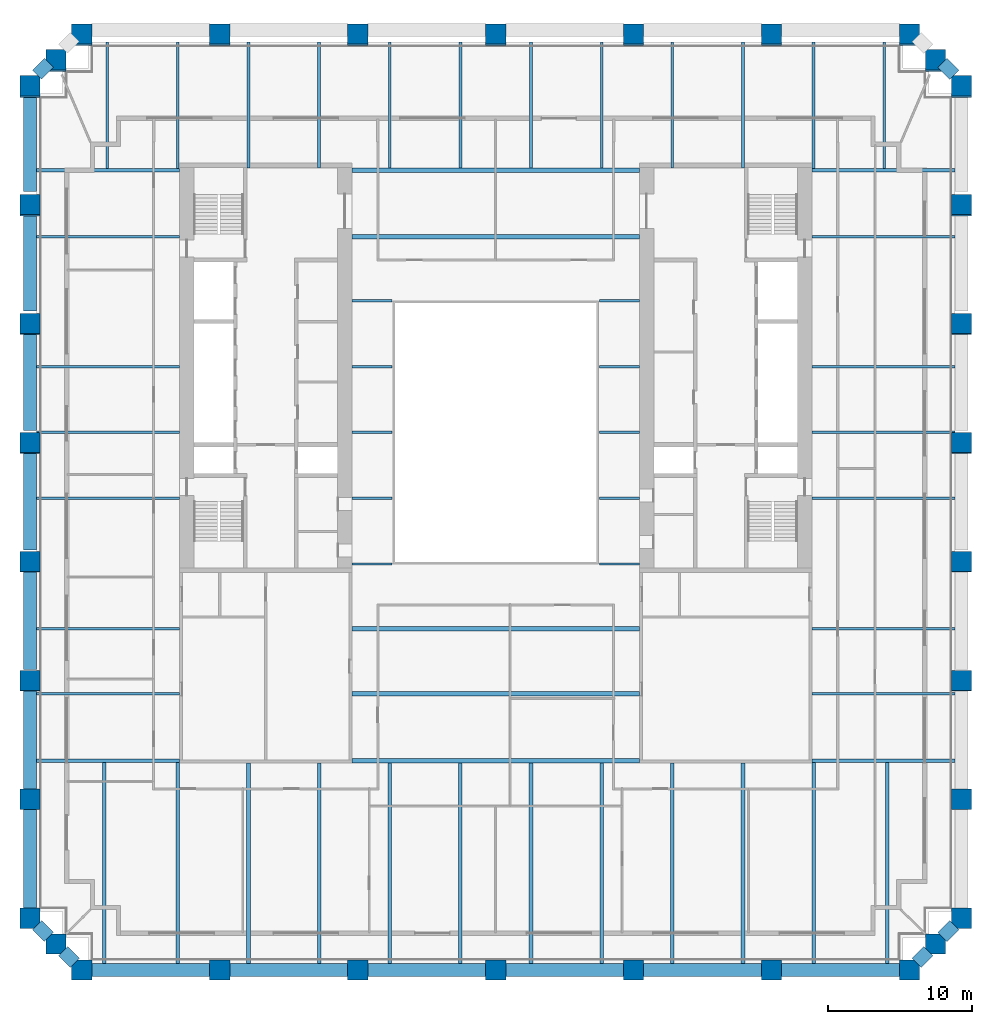
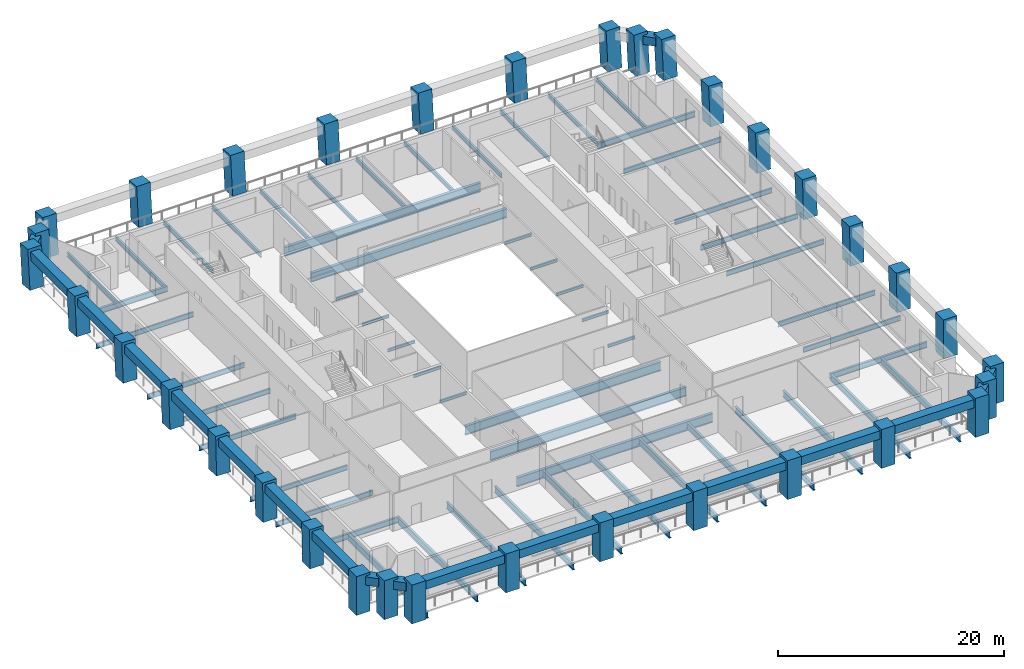
# One storey, part 1 of 9: 74 beams, 34 columns.
"""IFC4 building model written with IfcOpenShell, lengths in metres."""

from ifc_helpers import new_model, si_unit, direction, frame, origin, origin_2d, place, context, subcontext, project, spatial, rectangle, i_section, extrude, material, material_profile, profile_set, type_object, element, save


model = new_model("IFC4")

# Units and contexts
model_context = context("Model", 3, precision=1e-05, world=origin(), true_north=direction((0.0, 1.0)))
body_context = subcontext(model_context, "Body", "Model", "MODEL_VIEW")
ifc_project = project(units=[si_unit("LENGTHUNIT", "METRE"), si_unit("AREAUNIT", "SQUARE_METRE"), si_unit("VOLUMEUNIT", "CUBIC_METRE"), si_unit("PLANEANGLEUNIT", "RADIAN"), si_unit("MASSUNIT", "GRAM", prefix="KILO")], contexts=[model_context])

# Site, building, storey
site_placement = place(None, origin())
site = spatial("IfcSite", under=ifc_project, at=site_placement, CompositionType="ELEMENT")
building_placement = place(site_placement, origin())
building = spatial("IfcBuilding", under=site, at=building_placement, Name="Ogive Exchange Tower", CompositionType="ELEMENT")
storey_placement = place(building_placement, frame((0.0, 0.0, 69.0)))
storey = spatial("IfcBuildingStorey", under=building, at=storey_placement, Name="L14", CompositionType="ELEMENT", Elevation=69.0)

# Columns
ifc_material_1 = material(Name="Precast concrete C70/85 (limestone faced)", Category="masonry")
ifc_material_profile_1 = material_profile(ifc_material_1, rectangle(XDim=1.39990234375, YDim=1.39990234375, at=origin_2d()), Name="1400 x 1400")
ifc_profile_set_1 = profile_set([ifc_material_profile_1], Name="Precast concrete C70/85 (limestone faced)")
column_type = type_object("IfcColumnType", Name="Precast exoskeleton leg 1400 x 1400 C70/85", PredefinedType="COLUMN", material=ifc_profile_set_1)
for number, where, z_axis, x_axis, name in (
    (1, (-28.800048828125, -30.39990234375, 0.0), (0.0, 0.0, 1.0), (1.0, 0.0, 0.0), "Exoskeleton leg 1"),
    (2, (-19.199951171875, -30.39990234375, 0.0), (0.0, 0.0, 1.0), (1.0, 0.0, 0.0), "Exoskeleton leg 2"),
    (3, (-9.60009765625, -30.39990234375, 0.0), (0.0, 0.0, 1.0), (1.0, 0.0, 0.0), "Exoskeleton leg 3"),
    (4, (0.0, -30.39990234375, 0.0), (0.0, 0.0, 1.0), (1.0, 0.0, 0.0), "Exoskeleton leg 4"),
    (5, (9.60009765625, -30.39990234375, 0.0), (0.0, 0.0, 1.0), (1.0, 0.0, 0.0), "Exoskeleton leg 5"),
    (6, (19.199951171875, -30.39990234375, 0.0), (0.0, 0.0, 1.0), (1.0, 0.0, 0.0), "Exoskeleton leg 6"),
    (7, (28.800048828125, -30.39990234375, 0.0), (0.0, 0.0, 1.0), (1.0, 0.0, 0.0), "Exoskeleton leg 7"),
    (8, (32.39990234375, -26.800048828125, 0.0), (0.0, 0.0, 1.0), (1.0, 0.0, 0.0), "Exoskeleton leg 8"),
):
    element("IfcColumn", number, at=place(storey_placement, frame(where, z_axis=z_axis, x_axis=x_axis)), inside=storey, type_object=column_type, Name=name, PredefinedType="COLUMN", context=body_context, shape_type="SweptSolid", body=[
        extrude(rectangle(XDim=1.39990234375, YDim=1.39990234375, at=origin_2d()), origin(), (0.0, 0.0, 1.0), 4.199951171875),
    ])
column_1_placement = place(storey_placement, frame((32.39990234375, -18.540283203125, 0.0), z_axis=(0.0, 0.013019881024, 0.999915237757), x_axis=(-1.0, 0.0, 0.0)))
element("IfcColumn", 9, at=column_1_placement, inside=storey, type_object=column_type, Name="Exoskeleton leg 9", PredefinedType="COLUMN", context=body_context, shape_type="SweptSolid", body=[
    extrude(rectangle(XDim=1.39990234375, YDim=1.39990234375, at=origin_2d()), origin(), (0.0, 0.0, 1.0), 4.2001953125),
])
column_2_placement = place(storey_placement, frame((32.39990234375, -10.280517578125, 0.0), z_axis=(0.0, 0.025975072843, 0.999662590873), x_axis=(-1.0, 0.0, 0.0)))
element("IfcColumn", 10, at=column_2_placement, inside=storey, type_object=column_type, Name="Exoskeleton leg 10", PredefinedType="COLUMN", context=body_context, shape_type="SweptSolid", body=[
    extrude(rectangle(XDim=1.39990234375, YDim=1.39990234375, at=origin_2d()), origin(), (0.0, 0.0, 1.0), 4.201416015625),
])
column_3_placement = place(storey_placement, frame((32.39990234375, -2.020751953125, 0.0), z_axis=(0.0, 0.038917190853, 0.999242439179), x_axis=(-1.0, 0.0, 0.0)))
element("IfcColumn", 11, at=column_3_placement, inside=storey, type_object=column_type, Name="Exoskeleton leg 11", PredefinedType="COLUMN", context=body_context, shape_type="SweptSolid", body=[
    extrude(rectangle(XDim=1.39990234375, YDim=1.39990234375, at=origin_2d()), origin(), (0.0, 0.0, 1.0), 4.203125),
])
column_4_placement = place(storey_placement, frame((32.39990234375, 6.239013671875, 0.0), z_axis=(0.0, 0.051839753909, 0.998655416004), x_axis=(-1.0, 0.0, 0.0)))
element("IfcColumn", 12, at=column_4_placement, inside=storey, type_object=column_type, Name="Exoskeleton leg 12", PredefinedType="COLUMN", context=body_context, shape_type="SweptSolid", body=[
    extrude(rectangle(XDim=1.39990234375, YDim=1.39990234375, at=origin_2d()), origin(), (0.0, 0.0, 1.0), 4.20556640625),
])
column_5_placement = place(storey_placement, frame((32.39990234375, 14.498779296875, 0.0), z_axis=(0.0, 0.064794093908, 0.997898654872), x_axis=(-1.0, 0.0, 0.0)))
element("IfcColumn", 13, at=column_5_placement, inside=storey, type_object=column_type, Name="Exoskeleton leg 13", PredefinedType="COLUMN", context=body_context, shape_type="SweptSolid", body=[
    extrude(rectangle(XDim=1.39990234375, YDim=1.39990234375, at=origin_2d()), origin(), (0.0, 0.0, 1.0), 4.208740234375),
])
column_6_placement = place(storey_placement, frame((32.39990234375, 22.75830078125, 0.0), z_axis=(0.0, 0.07771576013, 0.996975556685), x_axis=(-1.0, 0.0, 0.0)))
element("IfcColumn", 14, at=column_6_placement, inside=storey, type_object=column_type, Name="Exoskeleton leg 14", PredefinedType="COLUMN", context=body_context, shape_type="SweptSolid", body=[
    extrude(rectangle(XDim=1.39990234375, YDim=1.39990234375, at=origin_2d()), origin(), (0.0, 0.0, 1.0), 4.212646484375),
])
for number, where, z_axis, x_axis, name in (
    (15, (32.39990234375, 31.018310546875, 0.0), (0.0, 0.090483549163, 0.995897950259), (-1.0, 0.0, 0.0), "Exoskeleton leg 15"),
    (16, (28.800048828125, 34.6181640625, 0.0), (0.0, 0.090540965689, 0.995892731941), (-1.0, 0.0, 0.0), "Exoskeleton leg 16"),
    (17, (19.199951171875, 34.6181640625, 0.0), (0.0, 0.090540965689, 0.995892731941), (-1.0, 0.0, 0.0), "Exoskeleton leg 17"),
    (18, (9.60009765625, 34.6181640625, 0.0), (0.0, 0.090540965689, 0.995892731941), (-1.0, 0.0, 0.0), "Exoskeleton leg 18"),
    (19, (0.0, 34.6181640625, 0.0), (0.0, 0.090540965689, 0.995892731941), (-1.0, 0.0, 0.0), "Exoskeleton leg 19"),
    (20, (-9.60009765625, 34.6181640625, 0.0), (0.0, 0.090540965689, 0.995892731941), (-1.0, 0.0, 0.0), "Exoskeleton leg 20"),
    (21, (-19.199951171875, 34.6181640625, 0.0), (0.0, 0.090540965689, 0.995892731941), (-1.0, 0.0, 0.0), "Exoskeleton leg 21"),
    (22, (-28.800048828125, 34.6181640625, 0.0), (0.0, 0.090540965689, 0.995892731941), (-1.0, 0.0, 0.0), "Exoskeleton leg 22"),
    (23, (-32.39990234375, 31.018310546875, 0.0), (0.0, 0.090483549163, 0.995897950259), (-1.0, 0.0, 0.0), "Exoskeleton leg 23"),
):
    element("IfcColumn", number, at=place(storey_placement, frame(where, z_axis=z_axis, x_axis=x_axis)), inside=storey, type_object=column_type, Name=name, PredefinedType="COLUMN", context=body_context, shape_type="SweptSolid", body=[
        extrude(rectangle(XDim=1.39990234375, YDim=1.39990234375, at=origin_2d()), origin(), (0.0, 0.0, 1.0), 4.21728515625),
    ])
column_7_placement = place(storey_placement, frame((-32.39990234375, 22.75830078125, 0.0), z_axis=(0.0, 0.07771576013, 0.996975556685), x_axis=(-1.0, 0.0, 0.0)))
element("IfcColumn", 24, at=column_7_placement, inside=storey, type_object=column_type, Name="Exoskeleton leg 24", PredefinedType="COLUMN", context=body_context, shape_type="SweptSolid", body=[
    extrude(rectangle(XDim=1.39990234375, YDim=1.39990234375, at=origin_2d()), origin(), (0.0, 0.0, 1.0), 4.212646484375),
])
column_8_placement = place(storey_placement, frame((-32.39990234375, 14.498779296875, 0.0), z_axis=(0.0, 0.064794093908, 0.997898654872), x_axis=(-1.0, 0.0, 0.0)))
element("IfcColumn", 25, at=column_8_placement, inside=storey, type_object=column_type, Name="Exoskeleton leg 25", PredefinedType="COLUMN", context=body_context, shape_type="SweptSolid", body=[
    extrude(rectangle(XDim=1.39990234375, YDim=1.39990234375, at=origin_2d()), origin(), (0.0, 0.0, 1.0), 4.208740234375),
])
column_9_placement = place(storey_placement, frame((-32.39990234375, 6.239013671875, 0.0), z_axis=(0.0, 0.051839753909, 0.998655416004), x_axis=(-1.0, 0.0, 0.0)))
element("IfcColumn", 26, at=column_9_placement, inside=storey, type_object=column_type, Name="Exoskeleton leg 26", PredefinedType="COLUMN", context=body_context, shape_type="SweptSolid", body=[
    extrude(rectangle(XDim=1.39990234375, YDim=1.39990234375, at=origin_2d()), origin(), (0.0, 0.0, 1.0), 4.20556640625),
])
column_10_placement = place(storey_placement, frame((-32.39990234375, -2.020751953125, 0.0), z_axis=(0.0, 0.038917190853, 0.999242439179), x_axis=(-1.0, 0.0, 0.0)))
element("IfcColumn", 27, at=column_10_placement, inside=storey, type_object=column_type, Name="Exoskeleton leg 27", PredefinedType="COLUMN", context=body_context, shape_type="SweptSolid", body=[
    extrude(rectangle(XDim=1.39990234375, YDim=1.39990234375, at=origin_2d()), origin(), (0.0, 0.0, 1.0), 4.203125),
])
column_11_placement = place(storey_placement, frame((-32.39990234375, -10.280517578125, 0.0), z_axis=(0.0, 0.025975072843, 0.999662590873), x_axis=(-1.0, 0.0, 0.0)))
element("IfcColumn", 28, at=column_11_placement, inside=storey, type_object=column_type, Name="Exoskeleton leg 28", PredefinedType="COLUMN", context=body_context, shape_type="SweptSolid", body=[
    extrude(rectangle(XDim=1.39990234375, YDim=1.39990234375, at=origin_2d()), origin(), (0.0, 0.0, 1.0), 4.201416015625),
])
column_12_placement = place(storey_placement, frame((-32.39990234375, -18.540283203125, 0.0), z_axis=(0.0, 0.013019881024, 0.999915237757), x_axis=(-1.0, 0.0, 0.0)))
element("IfcColumn", 29, at=column_12_placement, inside=storey, type_object=column_type, Name="Exoskeleton leg 29", PredefinedType="COLUMN", context=body_context, shape_type="SweptSolid", body=[
    extrude(rectangle(XDim=1.39990234375, YDim=1.39990234375, at=origin_2d()), origin(), (0.0, 0.0, 1.0), 4.2001953125),
])
for number, where, z_axis, x_axis, name in (
    (30, (-32.39990234375, -26.800048828125, 0.0), (0.0, 0.0, 1.0), (1.0, 0.0, 0.0), "Exoskeleton leg 30"),
    (31, (30.60009765625, -28.60009765625, 0.0), (0.0, 0.0, 1.0), (1.0, 0.0, 0.0), "Exoskeleton leg 31"),
):
    element("IfcColumn", number, at=place(storey_placement, frame(where, z_axis=z_axis, x_axis=x_axis)), inside=storey, type_object=column_type, Name=name, PredefinedType="COLUMN", context=body_context, shape_type="SweptSolid", body=[
        extrude(rectangle(XDim=1.39990234375, YDim=1.39990234375, at=origin_2d()), origin(), (0.0, 0.0, 1.0), 4.199951171875),
    ])
for number, where, z_axis, x_axis, name in (
    (32, (30.60009765625, 32.818115234375, 0.0), (0.0, 0.090540965689, 0.995892731941), (-1.0, 0.0, 0.0), "Exoskeleton leg 32"),
    (33, (-30.60009765625, 32.818115234375, 0.0), (0.0, 0.090540965689, 0.995892731941), (-1.0, 0.0, 0.0), "Exoskeleton leg 33"),
):
    element("IfcColumn", number, at=place(storey_placement, frame(where, z_axis=z_axis, x_axis=x_axis)), inside=storey, type_object=column_type, Name=name, PredefinedType="COLUMN", context=body_context, shape_type="SweptSolid", body=[
        extrude(rectangle(XDim=1.39990234375, YDim=1.39990234375, at=origin_2d()), origin(), (0.0, 0.0, 1.0), 4.21728515625),
    ])
column_13_placement = place(storey_placement, frame((-30.60009765625, -28.60009765625, 0.0), z_axis=(0.0, 0.0, 1.0), x_axis=(1.0, 0.0, 0.0)))
element("IfcColumn", 34, at=column_13_placement, inside=storey, type_object=column_type, Name="Exoskeleton leg 34", PredefinedType="COLUMN", context=body_context, shape_type="SweptSolid", body=[
    extrude(rectangle(XDim=1.39990234375, YDim=1.39990234375, at=origin_2d()), origin(), (0.0, 0.0, 1.0), 4.199951171875),
])

# Beams
ifc_material_2 = material(Name="Steel ASTM A992 Gr50", Category="steel")
ifc_material_profile_2 = material_profile(ifc_material_2, i_section(OverallWidth=0.300048828125, OverallDepth=0.969970703125, WebThickness=0.01611328125, FlangeThickness=0.02099609375, at=origin_2d()), Name="W1000x222")
ifc_profile_set_2 = profile_set([ifc_material_profile_2], Name="Steel ASTM A992 Gr50")
beam_type_1 = type_object("IfcBeamType", Name="Floor beam W1000x222", PredefinedType="JOIST", material=ifc_profile_set_2)
for number, where, z_axis, x_axis, name in (
    (35, (-10.0, -11.17822265625, -0.68505859375), (1.0, 0.0, 0.0), (0.0, 1.0, 0.0), "Floor beam"),
    (36, (-10.0, -6.666748046875, -0.68505859375), (1.0, 0.0, 0.0), (0.0, 1.0, 0.0), "Floor beam"),
    (37, (-10.0, 20.62255859375, -0.68505859375), (1.0, 0.0, 0.0), (0.0, 1.0, 0.0), "Floor beam"),
):
    element("IfcBeam", number, at=place(storey_placement, frame(where, z_axis=z_axis, x_axis=x_axis)), inside=storey, type_object=beam_type_1, Name=name, PredefinedType="JOIST", context=body_context, shape_type="SweptSolid", body=[
        extrude(i_section(OverallWidth=0.300048828125, OverallDepth=0.969970703125, WebThickness=0.01611328125, FlangeThickness=0.02099609375, at=origin_2d()), origin(), (0.0, 0.0, 1.0), 20.0),
    ])
ifc_material_profile_3 = material_profile(ifc_material_2, i_section(OverallWidth=0.1650390625, OverallDepth=0.31005859375, WebThickness=0.005859375, FlangeThickness=0.009765625, at=origin_2d()), Name="W310x38.7")
ifc_profile_set_3 = profile_set([ifc_material_profile_3], Name="Steel ASTM A992 Gr50")
beam_type_2 = type_object("IfcBeamType", Name="Floor beam W310x38.7", PredefinedType="JOIST", material=ifc_profile_set_3)
for number, where, z_axis, x_axis, name in (
    (38, (-10.0, 2.422607421875, -0.35498046875), (1.0, 0.0, 0.0), (0.0, 1.0, 0.0), "Floor beam"),
    (39, (7.219970703125, 2.422607421875, -0.35498046875), (1.0, 0.0, 0.0), (0.0, 1.0, 0.0), "Floor beam"),
    (40, (-10.0, 7.0, -0.35498046875), (1.0, 0.0, 0.0), (0.0, 1.0, 0.0), "Floor beam"),
    (41, (7.219970703125, 7.0, -0.35498046875), (1.0, 0.0, 0.0), (0.0, 1.0, 0.0), "Floor beam"),
    (42, (-10.0, 11.577392578125, -0.35498046875), (1.0, 0.0, 0.0), (0.0, 1.0, 0.0), "Floor beam"),
    (43, (7.219970703125, 11.577392578125, -0.35498046875), (1.0, 0.0, 0.0), (0.0, 1.0, 0.0), "Floor beam"),
):
    element("IfcBeam", number, at=place(storey_placement, frame(where, z_axis=z_axis, x_axis=x_axis)), inside=storey, type_object=beam_type_2, Name=name, PredefinedType="JOIST", context=body_context, shape_type="SweptSolid", body=[
        extrude(i_section(OverallWidth=0.1650390625, OverallDepth=0.31005859375, WebThickness=0.005859375, FlangeThickness=0.009765625, at=origin_2d()), origin(), (0.0, 0.0, 1.0), 2.780029296875),
    ])
ifc_material_profile_4 = material_profile(ifc_material_2, i_section(OverallWidth=0.19091796875, OverallDepth=0.45703125, WebThickness=0.009033203125, FlangeThickness=0.014404296875, at=origin_2d()), Name="W460x74")
ifc_profile_set_4 = profile_set([ifc_material_profile_4], Name="Steel ASTM A992 Gr50")
beam_type_3 = type_object("IfcBeamType", Name="Floor beam W460x74", PredefinedType="JOIST", material=ifc_profile_set_4)
for number, where, z_axis, x_axis, name in (
    (44, (-27.03466796875, 25.35888671875, -0.428466796875), (0.0, 1.0, 0.0), (-1.0, 0.0, 0.0), "Floor beam"),
    (45, (-22.119140625, 25.35888671875, -0.428466796875), (0.0, 1.0, 0.0), (-1.0, 0.0, 0.0), "Floor beam"),
):
    element("IfcBeam", number, at=place(storey_placement, frame(where, z_axis=z_axis, x_axis=x_axis)), inside=storey, type_object=beam_type_3, Name=name, PredefinedType="JOIST", context=body_context, shape_type="SweptSolid", body=[
        extrude(i_section(OverallWidth=0.19091796875, OverallDepth=0.45703125, WebThickness=0.009033203125, FlangeThickness=0.014404296875, at=origin_2d()), origin(), (0.0, 0.0, 1.0), 8.809326171875),
    ])
for number, where, z_axis, x_axis, name in (
    (46, (-17.203857421875, 25.39990234375, -0.428466796875), (0.0, 1.0, 0.0), (-1.0, 0.0, 0.0), "Floor beam"),
    (47, (-12.28857421875, 25.39990234375, -0.428466796875), (0.0, 1.0, 0.0), (-1.0, 0.0, 0.0), "Floor beam"),
):
    element("IfcBeam", number, at=place(storey_placement, frame(where, z_axis=z_axis, x_axis=x_axis)), inside=storey, type_object=beam_type_3, Name=name, PredefinedType="JOIST", context=body_context, shape_type="SweptSolid", body=[
        extrude(i_section(OverallWidth=0.19091796875, OverallDepth=0.45703125, WebThickness=0.009033203125, FlangeThickness=0.014404296875, at=origin_2d()), origin(), (0.0, 0.0, 1.0), 8.768310546875),
    ])
for number, where, z_axis, x_axis, name in (
    (48, (-7.373046875, 25.39501953125, -0.428466796875), (0.0, 1.0, 0.0), (-1.0, 0.0, 0.0), "Floor beam"),
    (49, (-2.457763671875, 25.39501953125, -0.428466796875), (0.0, 1.0, 0.0), (-1.0, 0.0, 0.0), "Floor beam"),
    (50, (2.457763671875, 25.39501953125, -0.428466796875), (0.0, 1.0, 0.0), (-1.0, 0.0, 0.0), "Floor beam"),
    (51, (7.373046875, 25.39501953125, -0.428466796875), (0.0, 1.0, 0.0), (-1.0, 0.0, 0.0), "Floor beam"),
):
    element("IfcBeam", number, at=place(storey_placement, frame(where, z_axis=z_axis, x_axis=x_axis)), inside=storey, type_object=beam_type_3, Name=name, PredefinedType="JOIST", context=body_context, shape_type="SweptSolid", body=[
        extrude(i_section(OverallWidth=0.19091796875, OverallDepth=0.45703125, WebThickness=0.009033203125, FlangeThickness=0.014404296875, at=origin_2d()), origin(), (0.0, 0.0, 1.0), 8.773193359375),
    ])
for number, where, z_axis, x_axis, name in (
    (52, (12.28857421875, 25.39990234375, -0.428466796875), (0.0, 1.0, 0.0), (-1.0, 0.0, 0.0), "Floor beam"),
    (53, (17.203857421875, 25.39990234375, -0.428466796875), (0.0, 1.0, 0.0), (-1.0, 0.0, 0.0), "Floor beam"),
):
    element("IfcBeam", number, at=place(storey_placement, frame(where, z_axis=z_axis, x_axis=x_axis)), inside=storey, type_object=beam_type_3, Name=name, PredefinedType="JOIST", context=body_context, shape_type="SweptSolid", body=[
        extrude(i_section(OverallWidth=0.19091796875, OverallDepth=0.45703125, WebThickness=0.009033203125, FlangeThickness=0.014404296875, at=origin_2d()), origin(), (0.0, 0.0, 1.0), 8.768310546875),
    ])
for number, where, z_axis, x_axis, name in (
    (54, (22.119140625, 25.35888671875, -0.428466796875), (0.0, 1.0, 0.0), (-1.0, 0.0, 0.0), "Floor beam"),
    (55, (27.03466796875, 25.35888671875, -0.428466796875), (0.0, 1.0, 0.0), (-1.0, 0.0, 0.0), "Floor beam"),
):
    element("IfcBeam", number, at=place(storey_placement, frame(where, z_axis=z_axis, x_axis=x_axis)), inside=storey, type_object=beam_type_3, Name=name, PredefinedType="JOIST", context=body_context, shape_type="SweptSolid", body=[
        extrude(i_section(OverallWidth=0.19091796875, OverallDepth=0.45703125, WebThickness=0.009033203125, FlangeThickness=0.014404296875, at=origin_2d()), origin(), (0.0, 0.0, 1.0), 8.809326171875),
    ])
ifc_material_profile_5 = material_profile(ifc_material_2, i_section(OverallWidth=0.1669921875, OverallDepth=0.535888671875, WebThickness=0.01025390625, FlangeThickness=0.0166015625, at=origin_2d()), Name="W530x85")
ifc_profile_set_5 = profile_set([ifc_material_profile_5], Name="Steel ASTM A992 Gr50")
beam_type_4 = type_object("IfcBeamType", Name="Floor beam W530x85", PredefinedType="JOIST", material=ifc_profile_set_5)
for number, where, z_axis, x_axis, name in (
    (56, (-31.949951171875, -11.17822265625, -0.468017578125), (1.0, 0.0, 0.0), (0.0, 1.0, 0.0), "Floor beam"),
    (57, (22.0, -11.17822265625, -0.468017578125), (1.0, 0.0, 0.0), (0.0, 1.0, 0.0), "Floor beam"),
    (58, (-31.949951171875, -6.666748046875, -0.468017578125), (1.0, 0.0, 0.0), (0.0, 1.0, 0.0), "Floor beam"),
    (59, (22.0, -6.666748046875, -0.468017578125), (1.0, 0.0, 0.0), (0.0, 1.0, 0.0), "Floor beam"),
    (60, (-31.949951171875, 2.422607421875, -0.468017578125), (1.0, 0.0, 0.0), (0.0, 1.0, 0.0), "Floor beam"),
    (61, (22.0, 2.422607421875, -0.468017578125), (1.0, 0.0, 0.0), (0.0, 1.0, 0.0), "Floor beam"),
    (62, (-31.949951171875, 7.0, -0.468017578125), (1.0, 0.0, 0.0), (0.0, 1.0, 0.0), "Floor beam"),
    (63, (22.0, 7.0, -0.468017578125), (1.0, 0.0, 0.0), (0.0, 1.0, 0.0), "Floor beam"),
    (64, (-31.949951171875, 11.577392578125, -0.468017578125), (1.0, 0.0, 0.0), (0.0, 1.0, 0.0), "Floor beam"),
    (65, (22.0, 11.577392578125, -0.468017578125), (1.0, 0.0, 0.0), (0.0, 1.0, 0.0), "Floor beam"),
    (66, (-31.949951171875, 20.62255859375, -0.468017578125), (1.0, 0.0, 0.0), (0.0, 1.0, 0.0), "Floor beam"),
    (67, (22.0, 20.62255859375, -0.468017578125), (1.0, 0.0, 0.0), (0.0, 1.0, 0.0), "Floor beam"),
):
    element("IfcBeam", number, at=place(storey_placement, frame(where, z_axis=z_axis, x_axis=x_axis)), inside=storey, type_object=beam_type_4, Name=name, PredefinedType="JOIST", context=body_context, shape_type="SweptSolid", body=[
        extrude(i_section(OverallWidth=0.1669921875, OverallDepth=0.535888671875, WebThickness=0.01025390625, FlangeThickness=0.0166015625, at=origin_2d()), origin(), (0.0, 0.0, 1.0), 9.949951171875),
    ])
ifc_material_profile_6 = material_profile(ifc_material_2, i_section(OverallWidth=0.25390625, OverallDepth=0.677978515625, WebThickness=0.01171875, FlangeThickness=0.016357421875, at=origin_2d()), Name="W690x125")
ifc_profile_set_6 = profile_set([ifc_material_profile_6], Name="Steel ASTM A992 Gr50")
beam_type_5 = type_object("IfcBeamType", Name="Floor beam W690x125", PredefinedType="JOIST", material=ifc_profile_set_6)
for number, where, z_axis, x_axis, name in (
    (68, (-27.234619140625, -29.949951171875, -0.5390625), (0.0, 1.0, 0.0), (-1.0, 0.0, 0.0), "Floor beam"),
    (69, (-22.119140625, -29.949951171875, -0.5390625), (0.0, 1.0, 0.0), (-1.0, 0.0, 0.0), "Floor beam"),
):
    element("IfcBeam", number, at=place(storey_placement, frame(where, z_axis=z_axis, x_axis=x_axis)), inside=storey, type_object=beam_type_5, Name=name, PredefinedType="JOIST", context=body_context, shape_type="SweptSolid", body=[
        extrude(i_section(OverallWidth=0.25390625, OverallDepth=0.677978515625, WebThickness=0.01171875, FlangeThickness=0.016357421875, at=origin_2d()), origin(), (0.0, 0.0, 1.0), 13.990966796875),
    ])
for number, where, z_axis, x_axis, name in (
    (70, (-17.203857421875, -29.949951171875, -0.5390625), (0.0, 1.0, 0.0), (-1.0, 0.0, 0.0), "Floor beam"),
    (71, (-12.28857421875, -29.949951171875, -0.5390625), (0.0, 1.0, 0.0), (-1.0, 0.0, 0.0), "Floor beam"),
):
    element("IfcBeam", number, at=place(storey_placement, frame(where, z_axis=z_axis, x_axis=x_axis)), inside=storey, type_object=beam_type_5, Name=name, PredefinedType="JOIST", context=body_context, shape_type="SweptSolid", body=[
        extrude(i_section(OverallWidth=0.25390625, OverallDepth=0.677978515625, WebThickness=0.01171875, FlangeThickness=0.016357421875, at=origin_2d()), origin(), (0.0, 0.0, 1.0), 13.949951171875),
    ])
for number, where, z_axis, x_axis, name in (
    (72, (-7.373046875, -29.949951171875, -0.5390625), (0.0, 1.0, 0.0), (-1.0, 0.0, 0.0), "Floor beam"),
    (73, (-2.457763671875, -29.949951171875, -0.5390625), (0.0, 1.0, 0.0), (-1.0, 0.0, 0.0), "Floor beam"),
    (74, (2.457763671875, -29.949951171875, -0.5390625), (0.0, 1.0, 0.0), (-1.0, 0.0, 0.0), "Floor beam"),
    (75, (7.373046875, -29.949951171875, -0.5390625), (0.0, 1.0, 0.0), (-1.0, 0.0, 0.0), "Floor beam"),
):
    element("IfcBeam", number, at=place(storey_placement, frame(where, z_axis=z_axis, x_axis=x_axis)), inside=storey, type_object=beam_type_5, Name=name, PredefinedType="JOIST", context=body_context, shape_type="SweptSolid", body=[
        extrude(i_section(OverallWidth=0.25390625, OverallDepth=0.677978515625, WebThickness=0.01171875, FlangeThickness=0.016357421875, at=origin_2d()), origin(), (0.0, 0.0, 1.0), 13.954833984375),
    ])
for number, where, z_axis, x_axis, name in (
    (76, (12.28857421875, -29.949951171875, -0.5390625), (0.0, 1.0, 0.0), (-1.0, 0.0, 0.0), "Floor beam"),
    (77, (17.203857421875, -29.949951171875, -0.5390625), (0.0, 1.0, 0.0), (-1.0, 0.0, 0.0), "Floor beam"),
):
    element("IfcBeam", number, at=place(storey_placement, frame(where, z_axis=z_axis, x_axis=x_axis)), inside=storey, type_object=beam_type_5, Name=name, PredefinedType="JOIST", context=body_context, shape_type="SweptSolid", body=[
        extrude(i_section(OverallWidth=0.25390625, OverallDepth=0.677978515625, WebThickness=0.01171875, FlangeThickness=0.016357421875, at=origin_2d()), origin(), (0.0, 0.0, 1.0), 13.949951171875),
    ])
for number, where, z_axis, x_axis, name in (
    (78, (22.119140625, -29.949951171875, -0.5390625), (0.0, 1.0, 0.0), (-1.0, 0.0, 0.0), "Floor beam"),
    (79, (27.234619140625, -29.949951171875, -0.5390625), (0.0, 1.0, 0.0), (-1.0, 0.0, 0.0), "Floor beam"),
):
    element("IfcBeam", number, at=place(storey_placement, frame(where, z_axis=z_axis, x_axis=x_axis)), inside=storey, type_object=beam_type_5, Name=name, PredefinedType="JOIST", context=body_context, shape_type="SweptSolid", body=[
        extrude(i_section(OverallWidth=0.25390625, OverallDepth=0.677978515625, WebThickness=0.01171875, FlangeThickness=0.016357421875, at=origin_2d()), origin(), (0.0, 0.0, 1.0), 13.990966796875),
    ])
ifc_material_profile_7 = material_profile(ifc_material_2, i_section(OverallWidth=0.300048828125, OverallDepth=0.97998046875, WebThickness=0.0166015625, FlangeThickness=0.026123046875, at=origin_2d()), Name="W1000x249")
ifc_profile_set_7 = profile_set([ifc_material_profile_7], Name="Steel ASTM A992 Gr50")
beam_type_6 = type_object("IfcBeamType", Name="Girder W1000x249", PredefinedType="BEAM", material=ifc_profile_set_7)
for number, where, z_axis, x_axis, name in (
    (80, (-10.0, -15.844970703125, -0.68994140625), (1.0, 0.0, 0.0), (0.0, 1.0, 0.0), "Header girder"),
    (81, (-10.0, 25.2451171875, -0.68994140625), (1.0, 0.0, 0.0), (0.0, 1.0, 0.0), "Header girder"),
):
    element("IfcBeam", number, at=place(storey_placement, frame(where, z_axis=z_axis, x_axis=x_axis)), inside=storey, type_object=beam_type_6, Name=name, PredefinedType="BEAM", context=body_context, shape_type="SweptSolid", body=[
        extrude(i_section(OverallWidth=0.300048828125, OverallDepth=0.97998046875, WebThickness=0.0166015625, FlangeThickness=0.026123046875, at=origin_2d()), origin(), (0.0, 0.0, 1.0), 20.0),
    ])
ifc_material_profile_8 = material_profile(ifc_material_2, i_section(OverallWidth=0.1650390625, OverallDepth=0.31005859375, WebThickness=0.005859375, FlangeThickness=0.009765625, at=origin_2d()), Name="W310x38.7")
ifc_profile_set_8 = profile_set([ifc_material_profile_8], Name="Steel ASTM A992 Gr50")
beam_type_7 = type_object("IfcBeamType", Name="Girder W310x38.7", PredefinedType="BEAM", material=ifc_profile_set_8)
for number, where, z_axis, x_axis, name in (
    (82, (-10.0, -2.155029296875, -0.35498046875), (1.0, 0.0, 0.0), (0.0, 1.0, 0.0), "Trimmer girder"),
    (83, (7.219970703125, -2.155029296875, -0.35498046875), (1.0, 0.0, 0.0), (0.0, 1.0, 0.0), "Trimmer girder"),
    (84, (-10.0, 16.155029296875, -0.35498046875), (1.0, 0.0, 0.0), (0.0, 1.0, 0.0), "Trimmer girder"),
    (85, (7.219970703125, 16.155029296875, -0.35498046875), (1.0, 0.0, 0.0), (0.0, 1.0, 0.0), "Trimmer girder"),
):
    element("IfcBeam", number, at=place(storey_placement, frame(where, z_axis=z_axis, x_axis=x_axis)), inside=storey, type_object=beam_type_7, Name=name, PredefinedType="BEAM", context=body_context, shape_type="SweptSolid", body=[
        extrude(i_section(OverallWidth=0.1650390625, OverallDepth=0.31005859375, WebThickness=0.005859375, FlangeThickness=0.009765625, at=origin_2d()), origin(), (0.0, 0.0, 1.0), 2.780029296875),
    ])
ifc_material_profile_9 = material_profile(ifc_material_2, i_section(OverallWidth=0.22802734375, OverallDepth=0.60205078125, WebThickness=0.010498046875, FlangeThickness=0.014892578125, at=origin_2d()), Name="W610x101")
ifc_profile_set_9 = profile_set([ifc_material_profile_9], Name="Steel ASTM A992 Gr50")
beam_type_8 = type_object("IfcBeamType", Name="Girder W610x101", PredefinedType="BEAM", material=ifc_profile_set_9)
for number, where, z_axis, x_axis, name in (
    (86, (-31.949951171875, -15.844970703125, -0.5009765625), (1.0, 0.0, 0.0), (0.0, 1.0, 0.0), "Header girder"),
    (87, (22.0, -15.844970703125, -0.5009765625), (1.0, 0.0, 0.0), (0.0, 1.0, 0.0), "Header girder"),
    (88, (-31.949951171875, 25.2451171875, -0.5009765625), (1.0, 0.0, 0.0), (0.0, 1.0, 0.0), "Header girder"),
    (89, (22.0, 25.2451171875, -0.5009765625), (1.0, 0.0, 0.0), (0.0, 1.0, 0.0), "Header girder"),
):
    element("IfcBeam", number, at=place(storey_placement, frame(where, z_axis=z_axis, x_axis=x_axis)), inside=storey, type_object=beam_type_8, Name=name, PredefinedType="BEAM", context=body_context, shape_type="SweptSolid", body=[
        extrude(i_section(OverallWidth=0.22802734375, OverallDepth=0.60205078125, WebThickness=0.010498046875, FlangeThickness=0.014892578125, at=origin_2d()), origin(), (0.0, 0.0, 1.0), 9.949951171875),
    ])
ifc_material_profile_10 = material_profile(ifc_material_1, rectangle(XDim=0.89990234375, YDim=0.89990234375, at=origin_2d()), Name="900 x 900")
ifc_profile_set_10 = profile_set([ifc_material_profile_10], Name="Precast concrete C70/85 (limestone faced)")
beam_type_9 = type_object("IfcBeamType", Name="Precast spandrel 900 x 900 C70/85", PredefinedType="SPANDREL", material=ifc_profile_set_10)
beam_1_placement = place(storey_placement, frame((-28.1201171875, -30.39990234375, 3.5), z_axis=(1.0, 0.0, 0.0), x_axis=(0.0, 1.0, 0.0)))
element("IfcBeam", 90, at=beam_1_placement, inside=storey, type_object=beam_type_9, Name="Spandrel 1", PredefinedType="SPANDREL", context=body_context, shape_type="SweptSolid", body=[
    extrude(rectangle(XDim=0.89990234375, YDim=0.89990234375, at=origin_2d()), origin(), (0.0, 0.0, 1.0), 8.240234375),
])
for number, where, z_axis, x_axis, name in (
    (91, (-18.52001953125, -30.39990234375, 3.5), (1.0, 0.0, 0.0), (0.0, 1.0, 0.0), "Spandrel 2"),
    (92, (-8.919921875, -30.39990234375, 3.5), (1.0, 0.0, 0.0), (0.0, 1.0, 0.0), "Spandrel 3"),
    (93, (0.679931640625, -30.39990234375, 3.5), (1.0, 0.0, 0.0), (0.0, 1.0, 0.0), "Spandrel 4"),
    (94, (10.280029296875, -30.39990234375, 3.5), (1.0, 0.0, 0.0), (0.0, 1.0, 0.0), "Spandrel 5"),
):
    element("IfcBeam", number, at=place(storey_placement, frame(where, z_axis=z_axis, x_axis=x_axis)), inside=storey, type_object=beam_type_9, Name=name, PredefinedType="SPANDREL", context=body_context, shape_type="SweptSolid", body=[
        extrude(rectangle(XDim=0.89990234375, YDim=0.89990234375, at=origin_2d()), origin(), (0.0, 0.0, 1.0), 8.239990234375),
    ])
beam_2_placement = place(storey_placement, frame((19.8798828125, -30.39990234375, 3.5), z_axis=(1.0, 0.0, 0.0), x_axis=(0.0, 1.0, 0.0)))
element("IfcBeam", 95, at=beam_2_placement, inside=storey, type_object=beam_type_9, Name="Spandrel 6", PredefinedType="SPANDREL", context=body_context, shape_type="SweptSolid", body=[
    extrude(rectangle(XDim=0.89990234375, YDim=0.89990234375, at=origin_2d()), origin(), (0.0, 0.0, 1.0), 8.240234375),
])
for number, where, z_axis, x_axis, name in (
    (96, (29.287841796875, -29.912109375, 3.5), (0.707106781187, 0.707106781187, 0.0), (-0.707106781187, 0.707106781187, 0.0), "Spandrel 7"),
    (97, (31.087890625, -28.112060546875, 3.5), (0.707106781187, 0.707106781187, 0.0), (-0.707106781187, 0.707106781187, 0.0), "Spandrel 8"),
    (98, (31.912109375, 31.887939453125, 3.5), (-0.707106781187, 0.707106781187, 0.0), (-0.707106781187, -0.707106781187, 0.0), "Spandrel 16"),
    (99, (-31.087890625, 32.712158203125, 3.5), (-0.707106781187, -0.707106781187, 0.0), (0.707106781187, -0.707106781187, 0.0), "Spandrel 25"),
):
    element("IfcBeam", number, at=place(storey_placement, frame(where, z_axis=z_axis, x_axis=x_axis)), inside=storey, type_object=beam_type_9, Name=name, PredefinedType="SPANDREL", context=body_context, shape_type="SweptSolid", body=[
        extrude(rectangle(XDim=0.89990234375, YDim=0.89990234375, at=origin_2d()), origin(), (0.0, 0.0, 1.0), 1.16552734375),
    ])
for number, where, z_axis, x_axis, name in (
    (100, (-32.39990234375, 30.719970703125, 3.5), (0.0, -1.0, 0.0), (1.0, 0.0, 0.0), "Spandrel 26"),
    (101, (-32.39990234375, 22.40576171875, 3.5), (0.0, -1.0, 0.0), (1.0, 0.0, 0.0), "Spandrel 27"),
):
    element("IfcBeam", number, at=place(storey_placement, frame(where, z_axis=z_axis, x_axis=x_axis)), inside=storey, type_object=beam_type_9, Name=name, PredefinedType="SPANDREL", context=body_context, shape_type="SweptSolid", body=[
        extrude(rectangle(XDim=0.89990234375, YDim=0.89990234375, at=origin_2d()), origin(), (0.0, 0.0, 1.0), 6.954345703125),
    ])
for number, where, z_axis, x_axis, name in (
    (102, (-32.39990234375, 14.09130859375, 3.5), (0.0, -1.0, 0.0), (1.0, 0.0, 0.0), "Spandrel 28"),
    (103, (-32.39990234375, 5.777099609375, 3.5), (0.0, -1.0, 0.0), (1.0, 0.0, 0.0), "Spandrel 29"),
):
    element("IfcBeam", number, at=place(storey_placement, frame(where, z_axis=z_axis, x_axis=x_axis)), inside=storey, type_object=beam_type_9, Name=name, PredefinedType="SPANDREL", context=body_context, shape_type="SweptSolid", body=[
        extrude(rectangle(XDim=0.89990234375, YDim=0.89990234375, at=origin_2d()), origin(), (0.0, 0.0, 1.0), 6.9541015625),
    ])
for number, where, z_axis, x_axis, name in (
    (104, (-32.39990234375, -2.537109375, 3.5), (0.0, -1.0, 0.0), (1.0, 0.0, 0.0), "Spandrel 30"),
    (105, (-32.39990234375, -10.851318359375, 3.5), (0.0, -1.0, 0.0), (1.0, 0.0, 0.0), "Spandrel 31"),
    (106, (-32.39990234375, -19.165771484375, 3.5), (0.0, -1.0, 0.0), (1.0, 0.0, 0.0), "Spandrel 32"),
):
    element("IfcBeam", number, at=place(storey_placement, frame(where, z_axis=z_axis, x_axis=x_axis)), inside=storey, type_object=beam_type_9, Name=name, PredefinedType="SPANDREL", context=body_context, shape_type="SweptSolid", body=[
        extrude(rectangle(XDim=0.89990234375, YDim=0.89990234375, at=origin_2d()), origin(), (0.0, 0.0, 1.0), 6.954345703125),
    ])
for number, where, z_axis, x_axis, name in (
    (107, (-31.912109375, -27.287841796875, 3.5), (0.707106781187, -0.707106781187, 0.0), (0.707106781187, 0.707106781187, 0.0), "Spandrel 33"),
    (108, (-30.112060546875, -29.087890625, 3.5), (0.707106781187, -0.707106781187, 0.0), (0.707106781187, 0.707106781187, 0.0), "Spandrel 34"),
):
    element("IfcBeam", number, at=place(storey_placement, frame(where, z_axis=z_axis, x_axis=x_axis)), inside=storey, type_object=beam_type_9, Name=name, PredefinedType="SPANDREL", context=body_context, shape_type="SweptSolid", body=[
        extrude(rectangle(XDim=0.89990234375, YDim=0.89990234375, at=origin_2d()), origin(), (0.0, 0.0, 1.0), 1.16552734375),
    ])

save(model, "model.ifc")
